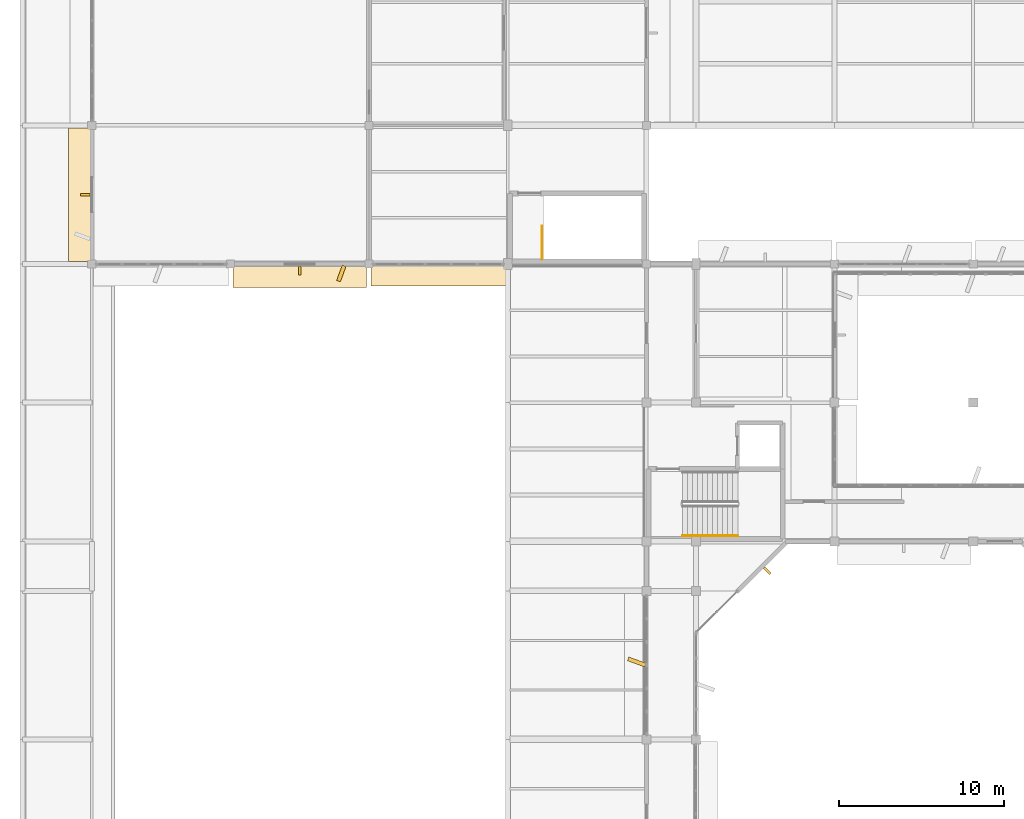
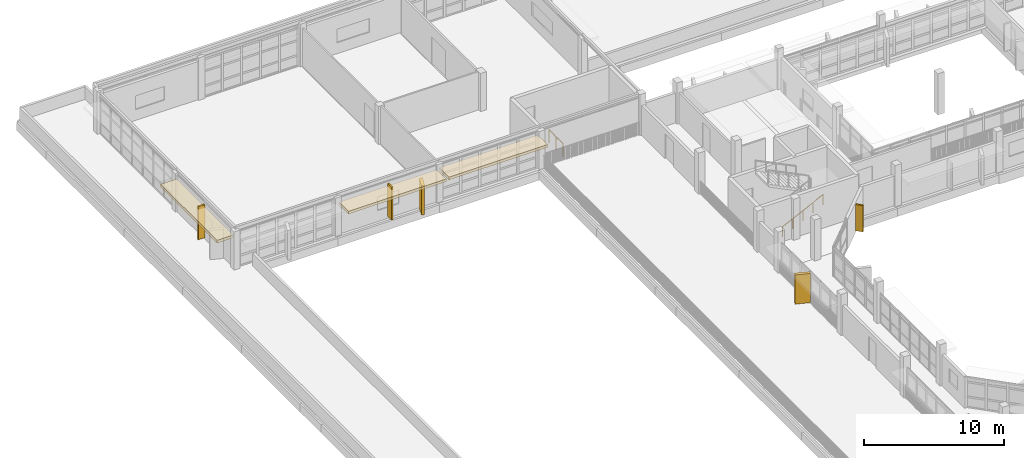
# One storey, part 81 of 92: 5 coverings, 3 shading devices, 2 railings.
"""IFC4 building model written with IfcOpenShell, lengths in metres."""

from ifc_helpers import new_model, si_unit, direction, frame, origin, origin_2d, place, context, subcontext, project, spatial, rectangle, circle, extrude, material, layer, layer_set, type_object, element, save


model = new_model("IFC4")

# Units and contexts
model_context = context("Model", 3, precision=1e-05, world=origin(), true_north=direction((0.0, 1.0)))
body_context = subcontext(model_context, "Body", "Model", "MODEL_VIEW")
ifc_project = project(units=[si_unit("LENGTHUNIT", "METRE"), si_unit("AREAUNIT", "SQUARE_METRE"), si_unit("VOLUMEUNIT", "CUBIC_METRE"), si_unit("PLANEANGLEUNIT", "RADIAN"), si_unit("MASSUNIT", "GRAM", prefix="KILO")], contexts=[model_context])

# Site, building, storey
site_placement = place(None, origin())
site = spatial("IfcSite", under=ifc_project, at=site_placement, CompositionType="ELEMENT")
building_placement = place(site_placement, origin())
building = spatial("IfcBuilding", under=site, at=building_placement, Name="Vanh Quang Courtyard School", CompositionType="ELEMENT")
storey_placement = place(building_placement, frame((0.0, 0.0, 7.800048828125)))
storey = spatial("IfcBuildingStorey", under=building, at=storey_placement, Name="L02", CompositionType="ELEMENT", Elevation=7.800048828125)

# Coverings
ifc_material_1 = material(Name="Board-marked precast concrete C40/50", Category="concrete")
ifc_layer = layer(ifc_material_1, 0.239990234375)
ifc_layer_set = layer_set([ifc_layer], Name="Board-marked precast concrete C40/50")
covering_type = type_object("IfcCoveringType", Name="COV-HOOD-CONC", PredefinedType="CLADDING", material=ifc_layer_set)
covering_1_placement = place(storey_placement, frame((37.215087890625, 64.090087890625, 0.0), z_axis=(0.0, 0.0, 1.0), x_axis=(-0.94028812701, 0.340379550213, 0.0)))
element("IfcCovering", 1, at=covering_1_placement, inside=storey, type_object=covering_type, Name="Covering CH-01 (L02)", PredefinedType="CLADDING", context=body_context, shape_type="SweptSolid", body=[
    extrude(rectangle(XDim=1.11669921875, YDim=0.239990234375, at=origin_2d()), origin(), (0.0, 0.0, 1.0), 2.56005859375),
])
covering_2_placement = place(storey_placement, frame((25.199951171875, 87.580078125, 2.5400390625), z_axis=(0.0, 0.0, 1.0), x_axis=(-1.0, 0.0, 0.0)))
element("IfcCovering", 2, at=covering_2_placement, inside=storey, type_object=covering_type, Name="Covering CH-01 (L02)", PredefinedType="CLADDING", context=body_context, shape_type="SweptSolid", body=[
    extrude(rectangle(XDim=8.18408203125, YDim=1.39990234375, at=origin_2d()), origin(), (0.0, 0.0, 1.0), 0.239990234375),
])
covering_3_placement = place(storey_placement, frame((16.800048828125, 87.4599609375, 2.5400390625), z_axis=(0.0, 0.0, 1.0), x_axis=(-1.0, 0.0, 0.0)))
element("IfcCovering", 3, at=covering_3_placement, inside=storey, type_object=covering_type, Name="Covering CH-01 (L02)", PredefinedType="CLADDING", context=body_context, shape_type="SweptSolid", body=[
    extrude(rectangle(XDim=8.10400390625, YDim=1.35009765625, at=origin_2d()), origin(), (0.0, 0.0, 1.0), 0.239990234375),
])
covering_4_placement = place(storey_placement, frame((19.3173828125, 87.6298828125, 0.0), z_axis=(0.0, 0.0, 1.0), x_axis=(-0.346608245445, -0.938009980858, 0.0)))
element("IfcCovering", 4, at=covering_4_placement, inside=storey, type_object=covering_type, Name="Covering CH-01 (L02)", PredefinedType="CLADDING", context=body_context, shape_type="SweptSolid", body=[
    extrude(rectangle(XDim=0.980712890625, YDim=0.239990234375, at=origin_2d()), origin(), (0.0, 0.0, 1.0), 2.56005859375),
])
covering_5_placement = place(storey_placement, frame((3.4599609375, 92.39990234375, 2.5400390625), z_axis=(0.0, 0.0, 1.0), x_axis=(0.0, 1.0, 0.0)))
element("IfcCovering", 5, at=covering_5_placement, inside=storey, type_object=covering_type, Name="Covering CH-01 (L02)", PredefinedType="CLADDING", context=body_context, shape_type="SweptSolid", body=[
    extrude(rectangle(XDim=8.10400390625, YDim=1.35009765625, at=origin_2d()), origin(), (0.0, 0.0, 1.0), 0.239990234375),
])

# Railings
ifc_material_2 = material(Name="Galvanised painted steel EN 10025-2 S355J2", Category="steel")
railing_type_1 = type_object("IfcRailingType", Name="RAIL-GUARD-1150", PredefinedType="BALUSTRADE", material=ifc_material_2)
railing_1_placement = place(storey_placement, frame((31.47998046875, 88.47998046875, 0.0)))
element("IfcRailing", 6, at=railing_1_placement, inside=storey, type_object=railing_type_1, Name="L02 ST-07 top well guard 1", PredefinedType="BALUSTRADE", context=body_context, shape_type="SweptSolid", body=[
    extrude(circle(Radius=0.02392578125, at=origin_2d()), frame((0.0, 0.0, 1.1259765625), z_axis=(0.0, 1.0, 0.0), x_axis=(-1.0, 0.0, 0.0)), (0.0, 0.0, 1.0), 2.010009765625),
    extrude(circle(Radius=0.02099609375, at=origin_2d()), origin(), (0.0, 0.0, 1.0), 1.101806640625),
    extrude(circle(Radius=0.02099609375, at=origin_2d()), frame((0.0, 1.0048828125, 0.0)), (0.0, 0.0, 1.0), 1.101806640625),
    extrude(circle(Radius=0.02099609375, at=origin_2d()), frame((0.0, 2.010009765625, 0.0)), (0.0, 0.0, 1.0), 1.101806640625),
])
ifc_material_3 = material(Name="Brushed stainless steel", Category="steel")
railing_type_2 = type_object("IfcRailingType", Name="RAIL-HAND-900", PredefinedType="HANDRAIL", material=ifc_material_3)
railing_2_placement = place(storey_placement, frame((39.97998046875, 71.72998046875, 0.14990234375)))
element("IfcRailing", 7, at=railing_2_placement, inside=storey, type_object=railing_type_2, Name="L02 ST-03 stair handrail 1", PredefinedType="HANDRAIL", context=body_context, shape_type="SweptSolid", body=[
    extrude(circle(Radius=0.02392578125, at=origin_2d()), frame((0.0, 0.0, 0.8759765625), z_axis=(0.89733343241, 0.0, 0.441353272424), x_axis=(0.0, 1.0, 0.0)), (0.0, 0.0, 1.0), 3.73876953125),
    extrude(circle(Radius=0.02099609375, at=origin_2d()), origin(), (0.0, 0.0, 1.0), 0.851806640625),
    extrude(circle(Radius=0.02099609375, at=origin_2d()), frame((0.8388671875, 0.0, 0.41259765625)), (0.0, 0.0, 1.0), 0.851806640625),
    extrude(circle(Radius=0.02099609375, at=origin_2d()), frame((1.677490234375, 0.0, 0.8251953125)), (0.0, 0.0, 1.0), 0.851806640625),
    extrude(circle(Radius=0.02099609375, at=origin_2d()), frame((2.51611328125, 0.0, 1.237548828125)), (0.0, 0.0, 1.0), 0.851806640625),
    extrude(circle(Radius=0.02099609375, at=origin_2d()), frame((3.35498046875, 0.0, 1.650146484375)), (0.0, 0.0, 1.0), 0.851806640625),
])

# Shading devices
shading_device_type = type_object("IfcShadingDeviceType", Name="SHD-FIN-CONCRETE", PredefinedType="USERDEFINED", material=ifc_material_1)
shading_device_placement = place(storey_placement, frame((45.123291015625, 69.62060546875, 0.14990234375), z_axis=(0.0, 0.0, 1.0), x_axis=(-0.707106781187, -0.707106781187, 0.0)))
element("IfcShadingDevice", 8, at=shading_device_placement, inside=storey, type_object=shading_device_type, Name="Solar Shading SH-02 (L02)", ObjectType="Solar Shading SH-02 (L02)", PredefinedType="USERDEFINED", context=body_context, shape_type="SweptSolid", body=[
    extrude(rectangle(XDim=0.139892578125, YDim=0.550048828125, at=origin_2d()), origin(), (0.0, 0.0, 1.0), 2.300048828125),
])
for number, where, z_axis, x_axis, name in (
    (9, (16.800048828125, 87.804931640625, 0.14990234375), (0.0, 0.0, 1.0), (-1.0, 0.0, 0.0), "Solar Shading SH-02 (L02)"),
    (10, (3.804931640625, 92.39990234375, 0.14990234375), (0.0, 0.0, 1.0), (0.0, 1.0, 0.0), "Solar Shading SH-02 (L02)"),
):
    element("IfcShadingDevice", number, at=place(storey_placement, frame(where, z_axis=z_axis, x_axis=x_axis)), inside=storey, type_object=shading_device_type, Name=name, ObjectType="Solar Shading SH-02 (L02)", PredefinedType="USERDEFINED", context=body_context, shape_type="SweptSolid", body=[
        extrude(rectangle(XDim=0.139892578125, YDim=0.550048828125, at=origin_2d()), origin(), (0.0, 0.0, 1.0), 2.89990234375),
    ])

save(model, "model.ifc")
